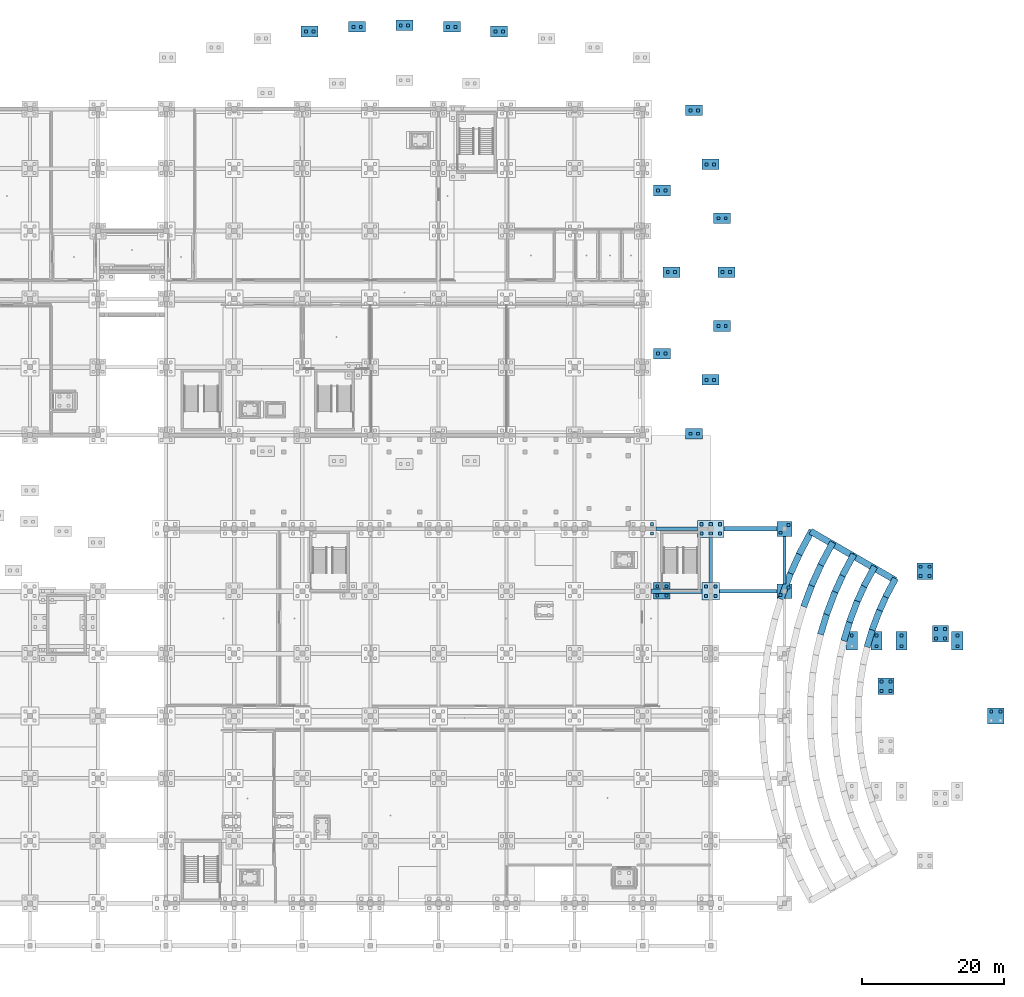
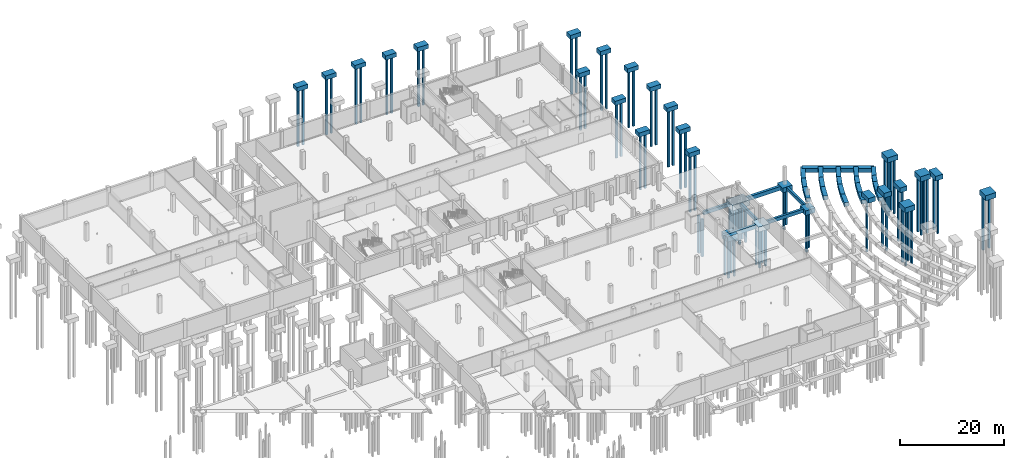
# One storey, part 10 of 31: 71 piles, 56 footings.
"""IFC4 building model written with IfcOpenShell, lengths in metres."""

from ifc_helpers import new_model, si_unit, direction, frame, origin, origin_2d, place, context, subcontext, project, spatial, rectangle, extrude, material, layer, layer_set, material_profile, profile_set, type_object, element, save


model = new_model("IFC4")

# Units and contexts
model_context = context("Model", 3, precision=1e-05, world=origin(), true_north=direction((0.0, 1.0)))
body_context = subcontext(model_context, "Body", "Model", "MODEL_VIEW")
ifc_project = project(units=[si_unit("LENGTHUNIT", "METRE"), si_unit("AREAUNIT", "SQUARE_METRE"), si_unit("VOLUMEUNIT", "CUBIC_METRE"), si_unit("PLANEANGLEUNIT", "RADIAN"), si_unit("MASSUNIT", "GRAM", prefix="KILO")], contexts=[model_context])

# Site, building, storey
site_placement = place(None, origin())
site = spatial("IfcSite", under=ifc_project, at=site_placement, CompositionType="ELEMENT")
building_placement = place(site_placement, origin())
building = spatial("IfcBuilding", under=site, at=building_placement, Name="Chalmorin Arch Market", CompositionType="ELEMENT")
storey_placement = place(building_placement, frame((0.0, 0.0, -4.199951171875)))
storey = spatial("IfcBuildingStorey", under=building, at=storey_placement, Name="B1", CompositionType="ELEMENT", Elevation=-4.199951171875)

# Piles
ifc_material_1 = material(Name="Precast concrete C50/60", Category="concrete")
ifc_material_profile_1 = material_profile(ifc_material_1, rectangle(XDim=0.406005859375, YDim=0.406005859375, at=origin_2d()), Name="PPC406")
ifc_profile_set_1 = profile_set([ifc_material_profile_1], Name="Precast concrete C50/60")
pile_type_1 = type_object("IfcPileType", Name="DrivenSquarePile-406", PredefinedType="DRIVEN", material=ifc_profile_set_1)
for number, where, z_axis, x_axis, name in (
    (1, (124.14990234375, 49.35009765625, -1.10009765625), (0.0, 0.0, -1.0), (1.0, 0.0, 0.0), "P-406-711"),
    (2, (125.449951171875, 49.35009765625, -1.10009765625), (0.0, 0.0, -1.0), (1.0, 0.0, 0.0), "P-406-712"),
    (3, (124.14990234375, 50.64990234375, -1.10009765625), (0.0, 0.0, -1.0), (1.0, 0.0, 0.0), "P-406-713"),
    (4, (125.449951171875, 50.64990234375, -1.10009765625), (0.0, 0.0, -1.0), (1.0, 0.0, 0.0), "P-406-714"),
):
    element("IfcPile", number, at=place(storey_placement, frame(where, z_axis=z_axis, x_axis=x_axis)), inside=storey, type_object=pile_type_1, Name=name, PredefinedType="DRIVEN", context=body_context, shape_type="SweptSolid", body=[
        extrude(rectangle(XDim=0.406005859375, YDim=0.406005859375, at=origin_2d()), origin(), (0.0, 0.0, 1.0), 8.89990234375),
    ])
for number, where, z_axis, x_axis, name in (
    (5, (134.64990234375, 49.449951171875, -1.0), (0.0, 0.0, -1.0), (1.0, 0.0, 0.0), "P-406-731"),
    (6, (135.75, 50.550048828125, -1.0), (0.0, 0.0, -1.0), (1.0, 0.0, 0.0), "P-406-732"),
    (7, (134.64990234375, 58.25, -1.0), (0.0, 0.0, -1.0), (1.0, 0.0, 0.0), "P-406-733"),
    (8, (135.75, 59.35009765625, -1.0), (0.0, 0.0, -1.0), (1.0, 0.0, 0.0), "P-406-734"),
):
    element("IfcPile", number, at=place(storey_placement, frame(where, z_axis=z_axis, x_axis=x_axis)), inside=storey, type_object=pile_type_1, Name=name, PredefinedType="DRIVEN", context=body_context, shape_type="SweptSolid", body=[
        extrude(rectangle(XDim=0.406005859375, YDim=0.406005859375, at=origin_2d()), origin(), (0.0, 0.0, 1.0), 9.0),
    ])
for number, where, z_axis, x_axis, name in (
    (9, (164.35009765625, 33.050048828125, 2.800048828125), (0.0, 0.0, -1.0), (1.0, 0.0, 0.0), "P-406-769"),
    (10, (165.64990234375, 33.050048828125, 2.800048828125), (0.0, 0.0, -1.0), (1.0, 0.0, 0.0), "P-406-770"),
    (11, (154.35009765625, 52.14990234375, 2.800048828125), (0.0, 0.0, -1.0), (1.0, 0.0, 0.0), "P-406-771"),
    (12, (155.64990234375, 52.14990234375, 2.800048828125), (0.0, 0.0, -1.0), (1.0, 0.0, 0.0), "P-406-772"),
    (13, (154.35009765625, 53.449951171875, 2.800048828125), (0.0, 0.0, -1.0), (1.0, 0.0, 0.0), "P-406-773"),
    (14, (155.64990234375, 53.449951171875, 2.800048828125), (0.0, 0.0, -1.0), (1.0, 0.0, 0.0), "P-406-774"),
    (15, (148.85009765625, 35.949951171875, 2.800048828125), (0.0, 0.0, -1.0), (1.0, 0.0, 0.0), "P-406-779"),
    (16, (150.14990234375, 35.949951171875, 2.800048828125), (0.0, 0.0, -1.0), (1.0, 0.0, 0.0), "P-406-780"),
    (17, (148.85009765625, 37.25, 2.800048828125), (0.0, 0.0, -1.0), (1.0, 0.0, 0.0), "P-406-781"),
    (18, (150.14990234375, 37.25, 2.800048828125), (0.0, 0.0, -1.0), (1.0, 0.0, 0.0), "P-406-782"),
):
    element("IfcPile", number, at=place(storey_placement, frame(where, z_axis=z_axis, x_axis=x_axis)), inside=storey, type_object=pile_type_1, Name=name, PredefinedType="DRIVEN", context=body_context, shape_type="SweptSolid", body=[
        extrude(rectangle(XDim=0.406005859375, YDim=0.406005859375, at=origin_2d()), origin(), (0.0, 0.0, 1.0), 12.800048828125),
    ])
for number, where, z_axis, x_axis, name in (
    (19, (156.550048828125, 43.35009765625, 2.919921875), (0.0, 0.0, -1.0), (1.0, 0.0, 0.0), "P-406-787"),
    (20, (157.85009765625, 43.35009765625, 2.919921875), (0.0, 0.0, -1.0), (1.0, 0.0, 0.0), "P-406-788"),
    (21, (156.550048828125, 44.64990234375, 2.919921875), (0.0, 0.0, -1.0), (1.0, 0.0, 0.0), "P-406-789"),
    (22, (157.85009765625, 44.64990234375, 2.919921875), (0.0, 0.0, -1.0), (1.0, 0.0, 0.0), "P-406-790"),
):
    element("IfcPile", number, at=place(storey_placement, frame(where, z_axis=z_axis, x_axis=x_axis)), inside=storey, type_object=pile_type_1, Name=name, PredefinedType="DRIVEN", context=body_context, shape_type="SweptSolid", body=[
        extrude(rectangle(XDim=0.406005859375, YDim=0.406005859375, at=origin_2d()), origin(), (0.0, 0.0, 1.0), 12.919921875),
    ])
for number, where, z_axis, x_axis, name in (
    (23, (117.383056640625, 83.5, 2.97998046875), (0.0, 0.0, -1.0), (1.0, 0.0, 0.0), "P-406-819"),
    (24, (118.423095703125, 83.5, 2.97998046875), (0.0, 0.0, -1.0), (1.0, 0.0, 0.0), "P-406-820"),
    (25, (118.72998046875, 95.0, 2.97998046875), (0.0, 0.0, -1.0), (1.0, 0.0, 0.0), "P-406-821"),
    (26, (119.77001953125, 95.0, 2.97998046875), (0.0, 0.0, -1.0), (1.0, 0.0, 0.0), "P-406-822"),
    (27, (117.383056640625, 106.5, 2.97998046875), (0.0, 0.0, -1.0), (1.0, 0.0, 0.0), "P-406-823"),
    (28, (118.423095703125, 106.5, 2.97998046875), (0.0, 0.0, -1.0), (1.0, 0.0, 0.0), "P-406-824"),
):
    element("IfcPile", number, at=place(storey_placement, frame(where, z_axis=z_axis, x_axis=x_axis)), inside=storey, type_object=pile_type_1, Name=name, PredefinedType="DRIVEN", context=body_context, shape_type="SweptSolid", body=[
        extrude(rectangle(XDim=0.406005859375, YDim=0.406005859375, at=origin_2d()), origin(), (0.0, 0.0, 1.0), 12.97998046875),
    ])
for number, where, z_axis, x_axis, name in (
    (29, (67.719970703125, 128.931884765625, 3.47998046875), (0.0, 0.0, -1.0), (1.0, 0.0, 0.0), "P-406-849"),
    (30, (68.760009765625, 128.931884765625, 3.47998046875), (0.0, 0.0, -1.0), (1.0, 0.0, 0.0), "P-406-850"),
    (31, (74.39990234375, 129.577880859375, 3.47998046875), (0.0, 0.0, -1.0), (1.0, 0.0, 0.0), "P-406-851"),
    (32, (75.43994140625, 129.577880859375, 3.47998046875), (0.0, 0.0, -1.0), (1.0, 0.0, 0.0), "P-406-852"),
    (33, (81.080078125, 129.800048828125, 3.47998046875), (0.0, 0.0, -1.0), (1.0, 0.0, 0.0), "P-406-853"),
    (34, (82.1201171875, 129.800048828125, 3.47998046875), (0.0, 0.0, -1.0), (1.0, 0.0, 0.0), "P-406-854"),
    (35, (87.760009765625, 129.577880859375, 3.47998046875), (0.0, 0.0, -1.0), (1.0, 0.0, 0.0), "P-406-855"),
    (36, (88.800048828125, 129.577880859375, 3.47998046875), (0.0, 0.0, -1.0), (1.0, 0.0, 0.0), "P-406-856"),
    (37, (94.43994140625, 128.931884765625, 3.47998046875), (0.0, 0.0, -1.0), (1.0, 0.0, 0.0), "P-406-857"),
    (38, (95.47998046875, 128.931884765625, 3.47998046875), (0.0, 0.0, -1.0), (1.0, 0.0, 0.0), "P-406-858"),
    (39, (121.943115234375, 117.800048828125, 3.47998046875), (0.0, 0.0, -1.0), (1.0, 0.0, 0.0), "P-406-865"),
    (40, (122.98291015625, 117.800048828125, 3.47998046875), (0.0, 0.0, -1.0), (1.0, 0.0, 0.0), "P-406-866"),
    (41, (124.216064453125, 110.199951171875, 3.47998046875), (0.0, 0.0, -1.0), (1.0, 0.0, 0.0), "P-406-867"),
    (42, (125.256103515625, 110.199951171875, 3.47998046875), (0.0, 0.0, -1.0), (1.0, 0.0, 0.0), "P-406-868"),
    (43, (125.8740234375, 102.60009765625, 3.47998046875), (0.0, 0.0, -1.0), (1.0, 0.0, 0.0), "P-406-869"),
    (44, (126.9140625, 102.60009765625, 3.47998046875), (0.0, 0.0, -1.0), (1.0, 0.0, 0.0), "P-406-870"),
    (45, (126.47998046875, 95.0, 3.47998046875), (0.0, 0.0, -1.0), (1.0, 0.0, 0.0), "P-406-871"),
    (46, (127.52001953125, 95.0, 3.47998046875), (0.0, 0.0, -1.0), (1.0, 0.0, 0.0), "P-406-872"),
    (47, (125.8740234375, 87.39990234375, 3.47998046875), (0.0, 0.0, -1.0), (1.0, 0.0, 0.0), "P-406-873"),
    (48, (126.9140625, 87.39990234375, 3.47998046875), (0.0, 0.0, -1.0), (1.0, 0.0, 0.0), "P-406-874"),
    (49, (124.216064453125, 79.800048828125, 3.47998046875), (0.0, 0.0, -1.0), (1.0, 0.0, 0.0), "P-406-875"),
    (50, (125.256103515625, 79.800048828125, 3.47998046875), (0.0, 0.0, -1.0), (1.0, 0.0, 0.0), "P-406-876"),
    (51, (121.943115234375, 72.199951171875, 3.47998046875), (0.0, 0.0, -1.0), (1.0, 0.0, 0.0), "P-406-877"),
    (52, (122.98291015625, 72.199951171875, 3.47998046875), (0.0, 0.0, -1.0), (1.0, 0.0, 0.0), "P-406-878"),
):
    element("IfcPile", number, at=place(storey_placement, frame(where, z_axis=z_axis, x_axis=x_axis)), inside=storey, type_object=pile_type_1, Name=name, PredefinedType="DRIVEN", context=body_context, shape_type="SweptSolid", body=[
        extrude(rectangle(XDim=0.406005859375, YDim=0.406005859375, at=origin_2d()), origin(), (0.0, 0.0, 1.0), 13.47998046875),
    ])
for number, where, z_axis, x_axis, name in (
    (53, (117.25, 49.39990234375, -1.10009765625), (0.0, 0.0, -1.0), (1.0, 0.0, 0.0), "P-406-937"),
    (54, (118.550048828125, 49.39990234375, -1.10009765625), (0.0, 0.0, -1.0), (1.0, 0.0, 0.0), "P-406-938"),
    (55, (117.25, 50.699951171875, -1.10009765625), (0.0, 0.0, -1.0), (1.0, 0.0, 0.0), "P-406-939"),
    (56, (118.550048828125, 50.699951171875, -1.10009765625), (0.0, 0.0, -1.0), (1.0, 0.0, 0.0), "P-406-940"),
):
    element("IfcPile", number, at=place(storey_placement, frame(where, z_axis=z_axis, x_axis=x_axis)), inside=storey, type_object=pile_type_1, Name=name, PredefinedType="DRIVEN", context=body_context, shape_type="SweptSolid", body=[
        extrude(rectangle(XDim=0.406005859375, YDim=0.406005859375, at=origin_2d()), origin(), (0.0, 0.0, 1.0), 8.89990234375),
    ])
for number, where, z_axis, x_axis, name in (
    (57, (159.574951171875, 42.25, 2.8798828125), (0.0, 0.0, -1.0), (1.0, 0.0, 0.0), "P-406-1105"),
    (58, (159.574951171875, 43.75, 2.8798828125), (0.0, 0.0, -1.0), (1.0, 0.0, 0.0), "P-406-1106"),
    (59, (151.68896484375, 42.25, 2.8798828125), (0.0, 0.0, -1.0), (1.0, 0.0, 0.0), "P-406-1109"),
    (60, (151.68896484375, 43.75, 2.8798828125), (0.0, 0.0, -1.0), (1.0, 0.0, 0.0), "P-406-1110"),
    (61, (148.178955078125, 42.25, 2.8798828125), (0.0, 0.0, -1.0), (1.0, 0.0, 0.0), "P-406-1113"),
    (62, (148.178955078125, 43.75, 2.8798828125), (0.0, 0.0, -1.0), (1.0, 0.0, 0.0), "P-406-1114"),
    (63, (144.68505859375, 43.75, 2.8798828125), (0.0, 0.0, -1.0), (1.0, 0.0, 0.0), "P-406-1118"),
):
    element("IfcPile", number, at=place(storey_placement, frame(where, z_axis=z_axis, x_axis=x_axis)), inside=storey, type_object=pile_type_1, Name=name, PredefinedType="DRIVEN", context=body_context, shape_type="SweptSolid", body=[
        extrude(rectangle(XDim=0.406005859375, YDim=0.406005859375, at=origin_2d()), origin(), (0.0, 0.0, 1.0), 12.8798828125),
    ])
ifc_material_profile_2 = material_profile(ifc_material_1, rectangle(XDim=0.45703125, YDim=0.45703125, at=origin_2d()), Name="PPC457")
ifc_profile_set_2 = profile_set([ifc_material_profile_2], Name="Precast concrete C50/60")
pile_type_2 = type_object("IfcPileType", Name="DrivenSquarePile-457", PredefinedType="DRIVEN", material=ifc_profile_set_2)
for number, where, z_axis, x_axis, name in (
    (64, (116.5, 58.14990234375, -1.199951171875), (0.0, 0.0, -1.0), (1.0, 0.0, 0.0), "P-457-661"),
    (65, (116.5, 59.449951171875, -1.199951171875), (0.0, 0.0, -1.0), (1.0, 0.0, 0.0), "P-457-664"),
    (66, (123.5, 58.14990234375, -1.199951171875), (0.0, 0.0, -1.0), (1.0, 0.0, 0.0), "P-457-715"),
    (67, (124.800048828125, 58.14990234375, -1.199951171875), (0.0, 0.0, -1.0), (1.0, 0.0, 0.0), "P-457-716"),
    (68, (126.10009765625, 58.14990234375, -1.199951171875), (0.0, 0.0, -1.0), (1.0, 0.0, 0.0), "P-457-717"),
    (69, (123.5, 59.449951171875, -1.199951171875), (0.0, 0.0, -1.0), (1.0, 0.0, 0.0), "P-457-718"),
    (70, (124.800048828125, 59.449951171875, -1.199951171875), (0.0, 0.0, -1.0), (1.0, 0.0, 0.0), "P-457-719"),
    (71, (126.10009765625, 59.449951171875, -1.199951171875), (0.0, 0.0, -1.0), (1.0, 0.0, 0.0), "P-457-720"),
):
    element("IfcPile", number, at=place(storey_placement, frame(where, z_axis=z_axis, x_axis=x_axis)), inside=storey, type_object=pile_type_2, Name=name, PredefinedType="DRIVEN", context=body_context, shape_type="SweptSolid", body=[
        extrude(rectangle(XDim=0.45703125, YDim=0.45703125, at=origin_2d()), origin(), (0.0, 0.0, 1.0), 8.800048828125),
    ])

# Footings
ifc_material_2 = material(Name="Concrete C40/50", Category="concrete")
ifc_layer_1 = layer(ifc_material_2, 0.75)
ifc_layer_set_1 = layer_set([ifc_layer_1], Name="Concrete C40/50")
footing_type_1 = type_object("IfcFootingType", Name="FoundationTieBeam-450x750-L6350", PredefinedType="FOOTING_BEAM", material=ifc_layer_set_1)
footing_1_placement = place(storey_placement, frame((124.800048828125, 54.425048828125, -0.75), z_axis=(0.0, 0.0, 1.0), x_axis=(0.0, 1.0, 0.0)))
element("IfcFooting", 72, at=footing_1_placement, inside=storey, type_object=footing_type_1, Name="FTB-03-343", PredefinedType="FOOTING_BEAM", context=body_context, shape_type="SweptSolid", body=[
    extrude(rectangle(XDim=6.35009765625, YDim=0.449951171875, at=origin_2d()), origin(), (0.0, 0.0, 1.0), 0.75),
])
ifc_layer_2 = layer(ifc_material_2, 0.75)
ifc_layer_set_2 = layer_set([ifc_layer_2], Name="Concrete C40/50")
footing_type_2 = type_object("IfcFootingType", Name="FoundationTieBeam-450x750-L6700", PredefinedType="FOOTING_BEAM", material=ifc_layer_set_2)
footing_2_placement = place(storey_placement, frame((135.199951171875, 54.39990234375, -0.75), z_axis=(0.0, 0.0, 1.0), x_axis=(0.0, 1.0, 0.0)))
element("IfcFooting", 73, at=footing_2_placement, inside=storey, type_object=footing_type_2, Name="FTB-03-349", PredefinedType="FOOTING_BEAM", context=body_context, shape_type="SweptSolid", body=[
    extrude(rectangle(XDim=6.699951171875, YDim=0.449951171875, at=origin_2d()), origin(), (0.0, 0.0, 1.0), 0.75),
])
ifc_layer_3 = layer(ifc_material_2, 0.800048828125)
ifc_layer_set_3 = layer_set([ifc_layer_3], Name="Concrete C40/50")
footing_type_3 = type_object("IfcFootingType", Name="FoundationTieBeam-500x800-L5800", PredefinedType="FOOTING_BEAM", material=ifc_layer_set_3)
footing_3_placement = place(storey_placement, frame((120.0, 58.800048828125, -0.80029296875), z_axis=(0.0, 0.0, 1.0), x_axis=(1.0, 0.0, 0.0)))
element("IfcFooting", 74, at=footing_3_placement, inside=storey, type_object=footing_type_3, Name="FTB-02-105", PredefinedType="FOOTING_BEAM", context=body_context, shape_type="SweptSolid", body=[
    extrude(rectangle(XDim=5.800048828125, YDim=0.5, at=origin_2d()), origin(), (0.0, 0.0, 1.0), 0.800048828125),
])
ifc_layer_4 = layer(ifc_material_2, 0.800048828125)
ifc_layer_set_4 = layer_set([ifc_layer_4], Name="Concrete C40/50")
footing_type_4 = type_object("IfcFootingType", Name="FoundationTieBeam-500x800-L8100", PredefinedType="FOOTING_BEAM", material=ifc_layer_set_4)
footing_4_placement = place(storey_placement, frame((130.10009765625, 50.0, -0.80029296875), z_axis=(0.0, 0.0, 1.0), x_axis=(1.0, 0.0, 0.0)))
element("IfcFooting", 75, at=footing_4_placement, inside=storey, type_object=footing_type_4, Name="FTB-02-097", PredefinedType="FOOTING_BEAM", context=body_context, shape_type="SweptSolid", body=[
    extrude(rectangle(XDim=8.10009765625, YDim=0.5, at=origin_2d()), origin(), (0.0, 0.0, 1.0), 0.800048828125),
])
ifc_layer_5 = layer(ifc_material_2, 0.89990234375)
ifc_layer_set_5 = layer_set([ifc_layer_5], Name="Concrete C40/50")
footing_type_5 = type_object("IfcFootingType", Name="FoundationTieBeam-600x900", PredefinedType="FOOTING_BEAM", material=ifc_layer_set_5)
for number, where, z_axis, x_axis, name in (
    (76, (150.152587890625, 50.491943359375, 2.0), (0.0, 0.0, 1.0), (-0.471627607116, -0.88179782275, 0.0), "FTB-A101"),
    (77, (149.04150390625, 48.239501953125, 2.0), (0.0, 0.0, 1.0), (-0.412627540369, -0.910899836935, 0.0), "FTB-A102"),
    (78, (148.08056640625, 45.9189453125, 2.0), (0.0, 0.0, 1.0), (-0.352168373381, -0.935936662809, 0.0), "FTB-A103"),
):
    element("IfcFooting", number, at=place(storey_placement, frame(where, z_axis=z_axis, x_axis=x_axis)), inside=storey, type_object=footing_type_5, Name=name, PredefinedType="FOOTING_BEAM", context=body_context, shape_type="SweptSolid", body=[
        extrude(rectangle(XDim=2.962890625, YDim=0.89990234375, at=origin_2d()), origin(), (0.0, 0.0, 1.0), 0.89990234375),
    ])
footing_5_placement = place(storey_placement, frame((147.27294921875, 43.541015625, 2.0), z_axis=(0.0, 0.0, 1.0), x_axis=(-0.290535193698, -0.956864306588, 0.0)))
element("IfcFooting", 79, at=footing_5_placement, inside=storey, type_object=footing_type_5, Name="FTB-A104", PredefinedType="FOOTING_BEAM", context=body_context, shape_type="SweptSolid", body=[
    extrude(rectangle(XDim=2.96240234375, YDim=0.89990234375, at=origin_2d()), origin(), (0.0, 0.0, 1.0), 0.89990234375),
])
footing_6_placement = place(storey_placement, frame((147.155517578125, 52.093994140625, 2.0), z_axis=(0.0, 0.0, 1.0), x_axis=(-0.471319772882, -0.881962398116, 0.0)))
element("IfcFooting", 80, at=footing_6_placement, inside=storey, type_object=footing_type_5, Name="FTB-A201", PredefinedType="FOOTING_BEAM", context=body_context, shape_type="SweptSolid", body=[
    extrude(rectangle(XDim=3.184814453125, YDim=0.89990234375, at=origin_2d()), origin(), (0.0, 0.0, 1.0), 0.89990234375),
])
footing_7_placement = place(storey_placement, frame((145.946533203125, 49.64208984375, 2.0), z_axis=(0.0, 0.0, 1.0), x_axis=(-0.412627540369, -0.910899836935, 0.0)))
element("IfcFooting", 81, at=footing_7_placement, inside=storey, type_object=footing_type_5, Name="FTB-A202", PredefinedType="FOOTING_BEAM", context=body_context, shape_type="SweptSolid", body=[
    extrude(rectangle(XDim=3.185791015625, YDim=0.89990234375, at=origin_2d()), origin(), (0.0, 0.0, 1.0), 0.89990234375),
])
footing_8_placement = place(storey_placement, frame((144.89990234375, 47.115966796875, 2.0), z_axis=(0.0, 0.0, 1.0), x_axis=(-0.352331719779, -0.935875183578, 0.0)))
element("IfcFooting", 82, at=footing_8_placement, inside=storey, type_object=footing_type_5, Name="FTB-A203", PredefinedType="FOOTING_BEAM", context=body_context, shape_type="SweptSolid", body=[
    extrude(rectangle(XDim=3.185546875, YDim=0.89990234375, at=origin_2d()), origin(), (0.0, 0.0, 1.0), 0.89990234375),
])
footing_9_placement = place(storey_placement, frame((144.02099609375, 44.527587890625, 2.0), z_axis=(0.0, 0.0, 1.0), x_axis=(-0.290368184947, -0.956914999972, 0.0)))
element("IfcFooting", 83, at=footing_9_placement, inside=storey, type_object=footing_type_5, Name="FTB-A204", PredefinedType="FOOTING_BEAM", context=body_context, shape_type="SweptSolid", body=[
    extrude(rectangle(XDim=3.184814453125, YDim=0.89990234375, at=origin_2d()), origin(), (0.0, 0.0, 1.0), 0.89990234375),
])
footing_10_placement = place(storey_placement, frame((144.158447265625, 53.695556640625, 2.0), z_axis=(0.0, 0.0, 1.0), x_axis=(-0.47147369718, -0.881880123865, 0.0)))
element("IfcFooting", 84, at=footing_10_placement, inside=storey, type_object=footing_type_5, Name="FTB-A301", PredefinedType="FOOTING_BEAM", context=body_context, shape_type="SweptSolid", body=[
    extrude(rectangle(XDim=3.408447265625, YDim=0.89990234375, at=origin_2d()), origin(), (0.0, 0.0, 1.0), 0.89990234375),
])
footing_11_placement = place(storey_placement, frame((142.85107421875, 51.0439453125, 2.0), z_axis=(0.0, 0.0, 1.0), x_axis=(-0.412468552072, -0.910971840153, 0.0)))
element("IfcFooting", 85, at=footing_11_placement, inside=storey, type_object=footing_type_5, Name="FTB-A302", PredefinedType="FOOTING_BEAM", context=body_context, shape_type="SweptSolid", body=[
    extrude(rectangle(XDim=3.407470703125, YDim=0.89990234375, at=origin_2d()), origin(), (0.0, 0.0, 1.0), 0.89990234375),
])
footing_12_placement = place(storey_placement, frame((141.719970703125, 48.31298828125, 2.0), z_axis=(0.0, 0.0, 1.0), x_axis=(-0.352331719779, -0.935875183578, 0.0)))
element("IfcFooting", 86, at=footing_12_placement, inside=storey, type_object=footing_type_5, Name="FTB-A303", PredefinedType="FOOTING_BEAM", context=body_context, shape_type="SweptSolid", body=[
    extrude(rectangle(XDim=3.40771484375, YDim=0.89990234375, at=origin_2d()), origin(), (0.0, 0.0, 1.0), 0.89990234375),
])
footing_13_placement = place(storey_placement, frame((140.76953125, 45.513916015625, 2.0), z_axis=(0.0, 0.0, 1.0), x_axis=(-0.290368184947, -0.956914999972, 0.0)))
element("IfcFooting", 87, at=footing_13_placement, inside=storey, type_object=footing_type_5, Name="FTB-A304", PredefinedType="FOOTING_BEAM", context=body_context, shape_type="SweptSolid", body=[
    extrude(rectangle(XDim=3.407470703125, YDim=0.89990234375, at=origin_2d()), origin(), (0.0, 0.0, 1.0), 0.89990234375),
])
footing_14_placement = place(storey_placement, frame((141.16162109375, 55.297607421875, 2.0), z_axis=(0.0, 0.0, 1.0), x_axis=(-0.471319772882, -0.881962398116, 0.0)))
element("IfcFooting", 88, at=footing_14_placement, inside=storey, type_object=footing_type_5, Name="FTB-A401", PredefinedType="FOOTING_BEAM", context=body_context, shape_type="SweptSolid", body=[
    extrude(rectangle(XDim=3.63037109375, YDim=0.89990234375, at=origin_2d()), origin(), (0.0, 0.0, 1.0), 0.89990234375),
])
footing_15_placement = place(storey_placement, frame((139.755615234375, 52.446533203125, 2.0), z_axis=(0.0, 0.0, 1.0), x_axis=(-0.412786516097, -0.91082780597, 0.0)))
element("IfcFooting", 89, at=footing_15_placement, inside=storey, type_object=footing_type_5, Name="FTB-A402", PredefinedType="FOOTING_BEAM", context=body_context, shape_type="SweptSolid", body=[
    extrude(rectangle(XDim=3.630615234375, YDim=0.89990234375, at=origin_2d()), origin(), (0.0, 0.0, 1.0), 0.89990234375),
])
footing_16_placement = place(storey_placement, frame((138.5390625, 49.510009765625, 2.0), z_axis=(0.0, 0.0, 1.0), x_axis=(-0.352168373381, -0.935936662809, 0.0)))
element("IfcFooting", 90, at=footing_16_placement, inside=storey, type_object=footing_type_5, Name="FTB-A403", PredefinedType="FOOTING_BEAM", context=body_context, shape_type="SweptSolid", body=[
    extrude(rectangle(XDim=3.6298828125, YDim=0.89990234375, at=origin_2d()), origin(), (0.0, 0.0, 1.0), 0.89990234375),
])
footing_17_placement = place(storey_placement, frame((138.1650390625, 56.8994140625, 2.0), z_axis=(0.0, 0.0, 1.0), x_axis=(-0.471319772882, -0.881962398116, 0.0)))
element("IfcFooting", 91, at=footing_17_placement, inside=storey, type_object=footing_type_5, Name="FTB-A501", PredefinedType="FOOTING_BEAM", context=body_context, shape_type="SweptSolid", body=[
    extrude(rectangle(XDim=3.852783203125, YDim=0.89990234375, at=origin_2d()), origin(), (0.0, 0.0, 1.0), 0.89990234375),
])
footing_18_placement = place(storey_placement, frame((136.660400390625, 53.849609375, 2.0), z_axis=(0.0, 0.0, 1.0), x_axis=(-0.41294547925, -0.91075574726, 0.0)))
element("IfcFooting", 92, at=footing_18_placement, inside=storey, type_object=footing_type_5, Name="FTB-A502", PredefinedType="FOOTING_BEAM", context=body_context, shape_type="SweptSolid", body=[
    extrude(rectangle(XDim=3.8525390625, YDim=0.89990234375, at=origin_2d()), origin(), (0.0, 0.0, 1.0), 0.89990234375),
])
footing_19_placement = place(storey_placement, frame((135.35888671875, 50.70751953125, 2.0), z_axis=(0.0, 0.0, 1.0), x_axis=(-0.352005016254, -0.93599811353, 0.0)))
element("IfcFooting", 93, at=footing_19_placement, inside=storey, type_object=footing_type_5, Name="FTB-A503", PredefinedType="FOOTING_BEAM", context=body_context, shape_type="SweptSolid", body=[
    extrude(rectangle(XDim=3.852783203125, YDim=0.89990234375, at=origin_2d()), origin(), (0.0, 0.0, 1.0), 0.89990234375),
])
for number, where, z_axis, x_axis, name in (
    (94, (149.2724609375, 52.449951171875, 2.0), (0.0, 0.0, 1.0), (-0.866025403784, 0.5, 0.0), "FTB-FNS1"),
    (95, (146.327392578125, 54.14990234375, 2.0), (0.0, 0.0, 1.0), (-0.866025403784, 0.5, 0.0), "FTB-FNS2"),
    (96, (143.383544921875, 55.85009765625, 2.0), (0.0, 0.0, 1.0), (-0.866025403784, 0.5, 0.0), "FTB-FNS3"),
):
    element("IfcFooting", number, at=place(storey_placement, frame(where, z_axis=z_axis, x_axis=x_axis)), inside=storey, type_object=footing_type_5, Name=name, PredefinedType="FOOTING_BEAM", context=body_context, shape_type="SweptSolid", body=[
        extrude(rectangle(XDim=3.619873046875, YDim=0.89990234375, at=origin_2d()), origin(), (0.0, 0.0, 1.0), 0.89990234375),
    ])
footing_20_placement = place(storey_placement, frame((140.43896484375, 57.550048828125, 2.0), z_axis=(0.0, 0.0, 1.0), x_axis=(-0.866112657056, 0.499848842438, 0.0)))
element("IfcFooting", 97, at=footing_20_placement, inside=storey, type_object=footing_type_5, Name="FTB-FNS4", PredefinedType="FOOTING_BEAM", context=body_context, shape_type="SweptSolid", body=[
    extrude(rectangle(XDim=3.62060546875, YDim=0.89990234375, at=origin_2d()), origin(), (0.0, 0.0, 1.0), 0.89990234375),
])
ifc_layer_6 = layer(ifc_material_2, 0.89990234375)
ifc_layer_set_6 = layer_set([ifc_layer_6], Name="Concrete C40/50")
footing_type_6 = type_object("IfcFootingType", Name="FoundationTieBeam-600x900-L7200", PredefinedType="FOOTING_BEAM", material=ifc_layer_set_6)
footing_21_placement = place(storey_placement, frame((119.949951171875, 50.0, -0.89990234375), z_axis=(0.0, 0.0, 1.0), x_axis=(1.0, 0.0, 0.0)))
element("IfcFooting", 98, at=footing_21_placement, inside=storey, type_object=footing_type_6, Name="FTB-01-096", PredefinedType="FOOTING_BEAM", context=body_context, shape_type="SweptSolid", body=[
    extrude(rectangle(XDim=7.199951171875, YDim=0.60009765625, at=origin_2d()), origin(), (0.0, 0.0, 1.0), 0.89990234375),
])
ifc_layer_7 = layer(ifc_material_2, 0.89990234375)
ifc_layer_set_7 = layer_set([ifc_layer_7], Name="Concrete C40/50")
footing_type_7 = type_object("IfcFootingType", Name="FoundationTieBeam-600x900-L7450", PredefinedType="FOOTING_BEAM", material=ifc_layer_set_7)
footing_22_placement = place(storey_placement, frame((130.425048828125, 58.800048828125, -0.89990234375), z_axis=(0.0, 0.0, 1.0), x_axis=(1.0, 0.0, 0.0)))
element("IfcFooting", 99, at=footing_22_placement, inside=storey, type_object=footing_type_7, Name="FTB-01-106", PredefinedType="FOOTING_BEAM", context=body_context, shape_type="SweptSolid", body=[
    extrude(rectangle(XDim=7.449951171875, YDim=0.60009765625, at=origin_2d()), origin(), (0.0, 0.0, 1.0), 0.89990234375),
])
ifc_layer_8 = layer(ifc_material_2, 1.10009765625)
ifc_layer_set_8 = layer_set([ifc_layer_8], Name="Concrete C40/50")
footing_type_8 = type_object("IfcFootingType", Name="MultiPileCap-2100x2100x1100", PredefinedType="PILE_CAP", material=ifc_layer_set_8)
for number, where, z_axis, x_axis, name in (
    (100, (135.199951171875, 50.0, -1.10009765625), (0.0, 0.0, 1.0), (1.0, 0.0, 0.0), "PC-03-191"),
    (101, (135.199951171875, 58.800048828125, -1.10009765625), (0.0, 0.0, 1.0), (1.0, 0.0, 0.0), "PC-03-192"),
):
    element("IfcFooting", number, at=place(storey_placement, frame(where, z_axis=z_axis, x_axis=x_axis)), inside=storey, type_object=footing_type_8, Name=name, PredefinedType="PILE_CAP", context=body_context, shape_type="SweptSolid", body=[
        extrude(rectangle(XDim=2.10009765625, YDim=2.10009765625, at=origin_2d()), origin(), (0.0, 0.0, 1.0), 1.10009765625),
    ])
ifc_layer_9 = layer(ifc_material_2, 1.199951171875)
ifc_layer_set_9 = layer_set([ifc_layer_9], Name="Concrete C40/50")
footing_type_9 = type_object("IfcFootingType", Name="MultiPileCap-2300x2300x1200", PredefinedType="PILE_CAP", material=ifc_layer_set_9)
for number, where, z_axis, x_axis, name in (
    (102, (165.0, 32.39990234375, 2.7001953125), (0.0, 0.0, 1.0), (1.0, 0.0, 0.0), "PC-02-201"),
    (103, (155.0, 52.800048828125, 2.7001953125), (0.0, 0.0, 1.0), (1.0, 0.0, 0.0), "PC-02-202"),
    (104, (149.5, 36.60009765625, 2.7001953125), (0.0, 0.0, 1.0), (1.0, 0.0, 0.0), "PC-02-204"),
    (105, (157.199951171875, 44.0, 2.81982421875), (0.0, 0.0, 1.0), (1.0, 0.0, 0.0), "PC-02-206"),
    (106, (117.89990234375, 50.050048828125, -1.2001953125), (0.0, 0.0, 1.0), (1.0, 0.0, 0.0), "PC-02-274"),
):
    element("IfcFooting", number, at=place(storey_placement, frame(where, z_axis=z_axis, x_axis=x_axis)), inside=storey, type_object=footing_type_9, Name=name, PredefinedType="PILE_CAP", context=body_context, shape_type="SweptSolid", body=[
        extrude(rectangle(XDim=2.300048828125, YDim=2.300048828125, at=origin_2d()), origin(), (0.0, 0.0, 1.0), 1.199951171875),
    ])
ifc_layer_10 = layer(ifc_material_2, 1.0)
ifc_layer_set_10 = layer_set([ifc_layer_10], Name="Concrete C40/50")
footing_type_10 = type_object("IfcFootingType", Name="MultiPileCap-2400x1500x1000", PredefinedType="PILE_CAP", material=ifc_layer_set_10)
for number, where, z_axis, x_axis, name in (
    (107, (117.903076171875, 83.5, 2.8798828125), (0.0, 0.0, 1.0), (1.0, 0.0, 0.0), "PC-05-221"),
    (108, (119.25, 95.0, 2.8798828125), (0.0, 0.0, 1.0), (1.0, 0.0, 0.0), "PC-05-222"),
    (109, (117.903076171875, 106.5, 2.8798828125), (0.0, 0.0, 1.0), (1.0, 0.0, 0.0), "PC-05-223"),
    (110, (68.239990234375, 128.931884765625, 3.3798828125), (0.0, 0.0, 1.0), (1.0, 0.0, 0.0), "PC-05-236"),
    (111, (74.919921875, 129.577880859375, 3.3798828125), (0.0, 0.0, 1.0), (1.0, 0.0, 0.0), "PC-05-237"),
    (112, (81.60009765625, 129.800048828125, 3.3798828125), (0.0, 0.0, 1.0), (1.0, 0.0, 0.0), "PC-05-238"),
    (113, (88.280029296875, 129.577880859375, 3.3798828125), (0.0, 0.0, 1.0), (1.0, 0.0, 0.0), "PC-05-239"),
    (114, (94.9599609375, 128.931884765625, 3.3798828125), (0.0, 0.0, 1.0), (1.0, 0.0, 0.0), "PC-05-240"),
    (115, (122.462890625, 117.800048828125, 3.3798828125), (0.0, 0.0, 1.0), (1.0, 0.0, 0.0), "PC-05-244"),
    (116, (124.736083984375, 110.199951171875, 3.3798828125), (0.0, 0.0, 1.0), (1.0, 0.0, 0.0), "PC-05-245"),
    (117, (126.39404296875, 102.60009765625, 3.3798828125), (0.0, 0.0, 1.0), (1.0, 0.0, 0.0), "PC-05-246"),
    (118, (127.0, 95.0, 3.3798828125), (0.0, 0.0, 1.0), (1.0, 0.0, 0.0), "PC-05-247"),
    (119, (126.39404296875, 87.39990234375, 3.3798828125), (0.0, 0.0, 1.0), (1.0, 0.0, 0.0), "PC-05-248"),
    (120, (124.736083984375, 79.800048828125, 3.3798828125), (0.0, 0.0, 1.0), (1.0, 0.0, 0.0), "PC-05-249"),
    (121, (122.462890625, 72.199951171875, 3.3798828125), (0.0, 0.0, 1.0), (1.0, 0.0, 0.0), "PC-05-250"),
):
    element("IfcFooting", number, at=place(storey_placement, frame(where, z_axis=z_axis, x_axis=x_axis)), inside=storey, type_object=footing_type_10, Name=name, PredefinedType="PILE_CAP", context=body_context, shape_type="SweptSolid", body=[
        extrude(rectangle(XDim=2.39990234375, YDim=1.5, at=origin_2d()), origin(), (0.0, 0.0, 1.0), 1.0),
    ])
ifc_layer_11 = layer(ifc_material_2, 1.199951171875)
ifc_layer_set_11 = layer_set([ifc_layer_11], Name="Concrete C40/50")
footing_type_11 = type_object("IfcFootingType", Name="MultiPileCap-2500x2500x1200", PredefinedType="PILE_CAP", material=ifc_layer_set_11)
footing_23_placement = place(storey_placement, frame((124.800048828125, 50.0, -1.2001953125), z_axis=(0.0, 0.0, 1.0), x_axis=(1.0, 0.0, 0.0)))
element("IfcFooting", 122, at=footing_23_placement, inside=storey, type_object=footing_type_11, Name="PC-01-184", PredefinedType="PILE_CAP", context=body_context, shape_type="SweptSolid", body=[
    extrude(rectangle(XDim=2.5, YDim=2.5, at=origin_2d()), origin(), (0.0, 0.0, 1.0), 1.199951171875),
])
ifc_layer_12 = layer(ifc_material_2, 1.10009765625)
ifc_layer_set_12 = layer_set([ifc_layer_12], Name="Concrete C40/50")
footing_type_12 = type_object("IfcFootingType", Name="MultiPileCap-2600x1600x1100", PredefinedType="PILE_CAP", material=ifc_layer_set_12)
for number, where, z_axis, x_axis, name in (
    (123, (159.574951171875, 43.0, 2.77978515625), (0.0, 0.0, 1.0), (0.0, 1.0, 0.0), "PC-04-1102"),
    (124, (151.68896484375, 43.0, 2.77978515625), (0.0, 0.0, 1.0), (0.0, 1.0, 0.0), "PC-04-1104"),
    (125, (148.178955078125, 43.0, 2.77978515625), (0.0, 0.0, 1.0), (0.0, 1.0, 0.0), "PC-04-1106"),
    (126, (144.68505859375, 43.0, 2.77978515625), (0.0, 0.0, 1.0), (0.0, 1.0, 0.0), "PC-04-1108"),
):
    element("IfcFooting", number, at=place(storey_placement, frame(where, z_axis=z_axis, x_axis=x_axis)), inside=storey, type_object=footing_type_12, Name=name, PredefinedType="PILE_CAP", context=body_context, shape_type="SweptSolid", body=[
        extrude(rectangle(XDim=2.60009765625, YDim=1.60009765625, at=origin_2d()), origin(), (0.0, 0.0, 1.0), 1.10009765625),
    ])
ifc_layer_13 = layer(ifc_material_2, 1.300048828125)
ifc_layer_set_13 = layer_set([ifc_layer_13], Name="Concrete C40/50")
footing_type_13 = type_object("IfcFootingType", Name="MultiPileCap-3800x2400x1300", PredefinedType="PILE_CAP", material=ifc_layer_set_13)
footing_24_placement = place(storey_placement, frame((124.800048828125, 58.800048828125, -1.30029296875), z_axis=(0.0, 0.0, 1.0), x_axis=(1.0, 0.0, 0.0)))
element("IfcFooting", 127, at=footing_24_placement, inside=storey, type_object=footing_type_13, Name="PC-06-185", PredefinedType="PILE_CAP", context=body_context, shape_type="SweptSolid", body=[
    extrude(rectangle(XDim=3.800048828125, YDim=2.39990234375, at=origin_2d()), origin(), (0.0, 0.0, 1.0), 1.300048828125),
])

save(model, "model.ifc")
